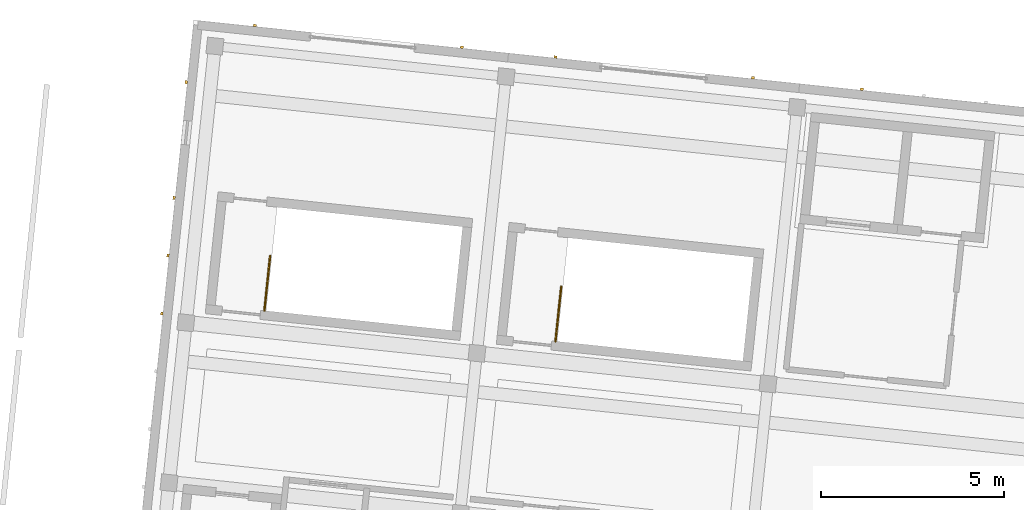
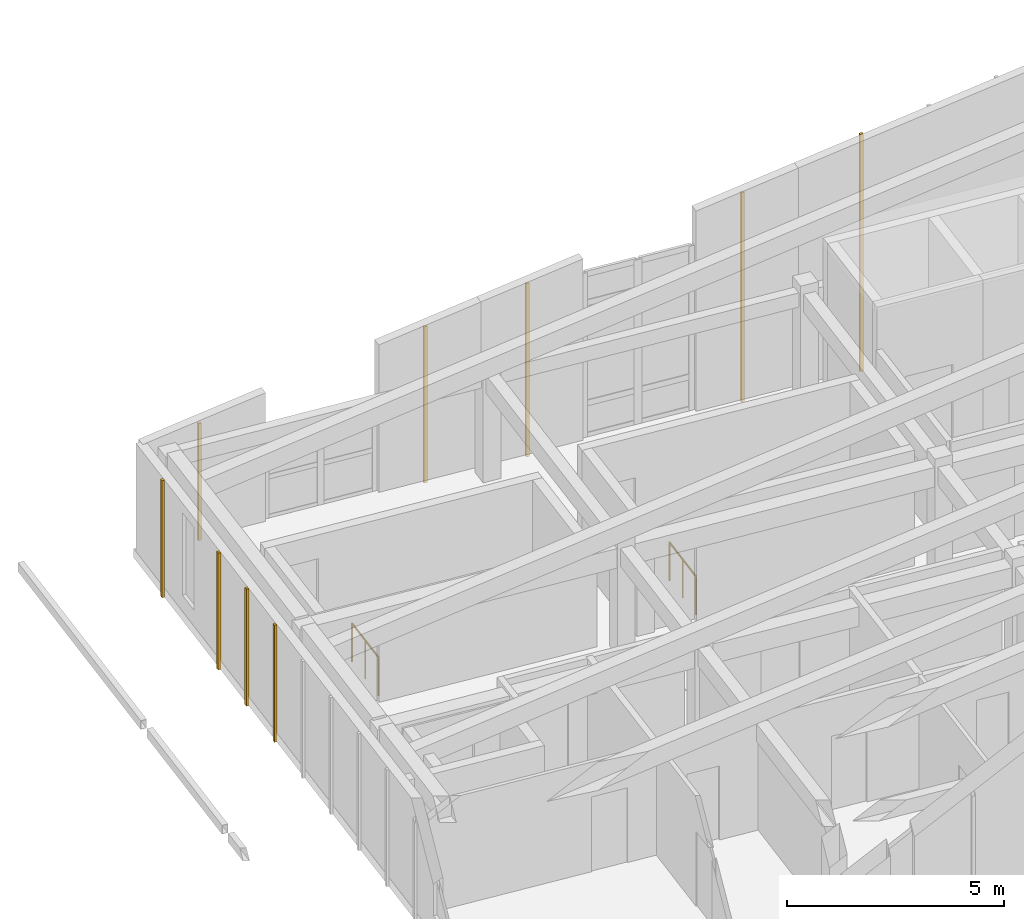
# One storey, part 30 of 31: 9 coverings, 2 railings.
"""IFC4 building model written with IfcOpenShell, lengths in metres."""

from ifc_helpers import new_model, si_unit, direction, frame, origin, origin_2d, place, context, subcontext, project, spatial, rectangle, circle, extrude, material, layer, layer_set, type_object, element, save


model = new_model("IFC4")

# Units and contexts
model_context = context("Model", 3, precision=1e-05, world=origin(), true_north=direction((0.0, 1.0)))
body_context = subcontext(model_context, "Body", "Model", "MODEL_VIEW")
ifc_project = project(units=[si_unit("LENGTHUNIT", "METRE"), si_unit("AREAUNIT", "SQUARE_METRE"), si_unit("VOLUMEUNIT", "CUBIC_METRE"), si_unit("PLANEANGLEUNIT", "RADIAN"), si_unit("MASSUNIT", "GRAM", prefix="KILO")], contexts=[model_context])

# Site, building, storey
site_placement = place(None, origin())
site = spatial("IfcSite", under=ifc_project, at=site_placement, CompositionType="ELEMENT")
building_placement = place(site_placement, origin())
building = spatial("IfcBuilding", under=site, at=building_placement, Name="Kestramere Prow Commons", CompositionType="ELEMENT")
storey_placement = place(building_placement, frame((0.0, 0.0, 37.64990234375)))
storey = spatial("IfcBuildingStorey", under=building, at=storey_placement, Name="L11", CompositionType="ELEMENT", Elevation=37.64990234375)

# Coverings
ifc_material_1 = material(Name="Weathered Zinc-Titanium Standing-Seam Cladding")
ifc_layer = layer(ifc_material_1, 0.074951171875)
ifc_layer_set = layer_set([ifc_layer], Name="Weathered Zinc-Titanium Standing-Seam Cladding")
covering_type = type_object("IfcCoveringType", Name="COV-CLAD-SEAM", PredefinedType="CLADDING", material=ifc_layer_set)
covering_1_placement = place(storey_placement, frame((137.007568359375, 112.3505859375, -0.25), z_axis=(0.0, 0.0, 1.0), x_axis=(0.994521895368, -0.104528463268, 0.0)))
element("IfcCovering", 1, at=covering_1_placement, inside=storey, type_object=covering_type, Name="EW-B-L11-NP-3-L Standing-Seam Rib 1", PredefinedType="CLADDING", context=body_context, shape_type="SweptSolid", body=[
    extrude(rectangle(XDim=0.0849609375, YDim=0.06494140625, at=origin_2d()), origin(), (0.0, 0.0, 1.0), 3.28759765625),
])
covering_2_placement = place(storey_placement, frame((142.663818359375, 111.756103515625, -0.25), z_axis=(0.0, 0.0, 1.0), x_axis=(0.994521895368, -0.104528463268, 0.0)))
element("IfcCovering", 2, at=covering_2_placement, inside=storey, type_object=covering_type, Name="EW-B-L11-NP-3-R Standing-Seam Rib 1", PredefinedType="CLADDING", context=body_context, shape_type="SweptSolid", body=[
    extrude(rectangle(XDim=0.0849609375, YDim=0.06494140625, at=origin_2d()), origin(), (0.0, 0.0, 1.0), 4.3916015625),
])
covering_3_placement = place(storey_placement, frame((145.224609375, 111.48681640625, -0.25), z_axis=(0.0, 0.0, 1.0), x_axis=(0.994521895368, -0.104528463268, 0.0)))
element("IfcCovering", 3, at=covering_3_placement, inside=storey, type_object=covering_type, Name="EW-B-L11-NP-4-L Standing-Seam Rib 1", PredefinedType="CLADDING", context=body_context, shape_type="SweptSolid", body=[
    extrude(rectangle(XDim=0.0849609375, YDim=0.06494140625, at=origin_2d()), origin(), (0.0, 0.0, 1.0), 4.869384765625),
])
covering_4_placement = place(storey_placement, frame((150.6201171875, 110.919921875, -0.25), z_axis=(0.0, 0.0, 1.0), x_axis=(0.994521895368, -0.104528463268, 0.0)))
element("IfcCovering", 4, at=covering_4_placement, inside=storey, type_object=covering_type, Name="EW-B-L11-NP-4-R Standing-Seam Rib 1", PredefinedType="CLADDING", context=body_context, shape_type="SweptSolid", body=[
    extrude(rectangle(XDim=0.0849609375, YDim=0.06494140625, at=origin_2d()), origin(), (0.0, 0.0, 1.0), 5.8759765625),
])
covering_5_placement = place(storey_placement, frame((153.59619140625, 110.607177734375, -0.25), z_axis=(0.0, 0.0, 1.0), x_axis=(0.994521895368, -0.104528463268, 0.0)))
element("IfcCovering", 5, at=covering_5_placement, inside=storey, type_object=covering_type, Name="EW-B-L11-N-5 Standing-Seam Rib 1", PredefinedType="CLADDING", context=body_context, shape_type="SweptSolid", body=[
    extrude(rectangle(XDim=0.0849609375, YDim=0.06494140625, at=origin_2d()), origin(), (0.0, 0.0, 1.0), 6.670166015625),
])
for number, where, z_axis, x_axis, name in (
    (6, (134.46826171875, 104.47802734375, -0.25), (0.0, 0.0, 1.0), (0.104528463268, 0.994521895368, 0.0), "EW-B-L11-EAV Standing-Seam Rib 8"),
    (7, (134.63427734375, 106.057861328125, -0.25), (0.0, 0.0, 1.0), (0.104528463268, 0.994521895368, 0.0), "EW-B-L11-EAV Standing-Seam Rib 9"),
    (8, (134.80029296875, 107.6376953125, -0.25), (0.0, 0.0, 1.0), (0.104528463268, 0.994521895368, 0.0), "EW-B-L11-EAV Standing-Seam Rib 10"),
    (9, (135.13232421875, 110.797119140625, -0.25), (0.0, 0.0, 1.0), (0.104528463268, 0.994521895368, 0.0), "EW-B-L11-EAV Standing-Seam Rib 12"),
):
    element("IfcCovering", number, at=place(storey_placement, frame(where, z_axis=z_axis, x_axis=x_axis)), inside=storey, type_object=covering_type, Name=name, PredefinedType="CLADDING", context=body_context, shape_type="SweptSolid", body=[
        extrude(rectangle(XDim=0.0849609375, YDim=0.06494140625, at=origin_2d()), origin(), (0.0, 0.0, 1.0), 3.28759765625),
    ])

# Railings
ifc_material_2 = material(Name="Galvanised Steel S275JR", Category="steel")
railing_type = type_object("IfcRailingType", Name="RL-ST-GR-1100", PredefinedType="GUARDRAIL", material=ifc_material_2)
railing_1_placement = place(storey_placement, frame((137.268798828125, 104.552978515625, 0.0)))
element("IfcRailing", 10, at=railing_1_placement, inside=storey, type_object=railing_type, Name="L11 ST-B1 top well guard 1", PredefinedType="GUARDRAIL", context=body_context, shape_type="SweptSolid", body=[
    extrude(circle(Radius=0.02392578125, at=origin_2d()), frame((0.0, 0.0, 1.076171875), z_axis=(0.104481464157, 0.994526834051, 0.0), x_axis=(-0.994526834051, 0.104481464157, 0.0)), (0.0, 0.0, 1.0), 1.500244140625),
    extrude(circle(Radius=0.02099609375, at=origin_2d()), origin(), (0.0, 0.0, 1.0), 1.052001953125),
    extrude(circle(Radius=0.02099609375, at=origin_2d()), frame((0.078369140625, 0.74609375, 0.0)), (0.0, 0.0, 1.0), 1.052001953125),
    extrude(circle(Radius=0.02099609375, at=origin_2d()), frame((0.15673828125, 1.491943359375, 0.0)), (0.0, 0.0, 1.0), 1.052001953125),
])
railing_2_placement = place(storey_placement, frame((145.22509765625, 103.716796875, 0.0)))
element("IfcRailing", 11, at=railing_2_placement, inside=storey, type_object=railing_type, Name="L11 ST-B2 top well guard 1", PredefinedType="GUARDRAIL", context=body_context, shape_type="SweptSolid", body=[
    extrude(circle(Radius=0.02392578125, at=origin_2d()), frame((0.0, 0.0, 1.076171875), z_axis=(0.104498377516, 0.994525057048, 0.0), x_axis=(-0.994525057048, 0.104498377516, 0.0)), (0.0, 0.0, 1.0), 1.5),
    extrude(circle(Radius=0.02099609375, at=origin_2d()), origin(), (0.0, 0.0, 1.0), 1.052001953125),
    extrude(circle(Radius=0.02099609375, at=origin_2d()), frame((0.078369140625, 0.745849609375, 0.0)), (0.0, 0.0, 1.0), 1.052001953125),
    extrude(circle(Radius=0.02099609375, at=origin_2d()), frame((0.15673828125, 1.49169921875, 0.0)), (0.0, 0.0, 1.0), 1.052001953125),
])

save(model, "model.ifc")
